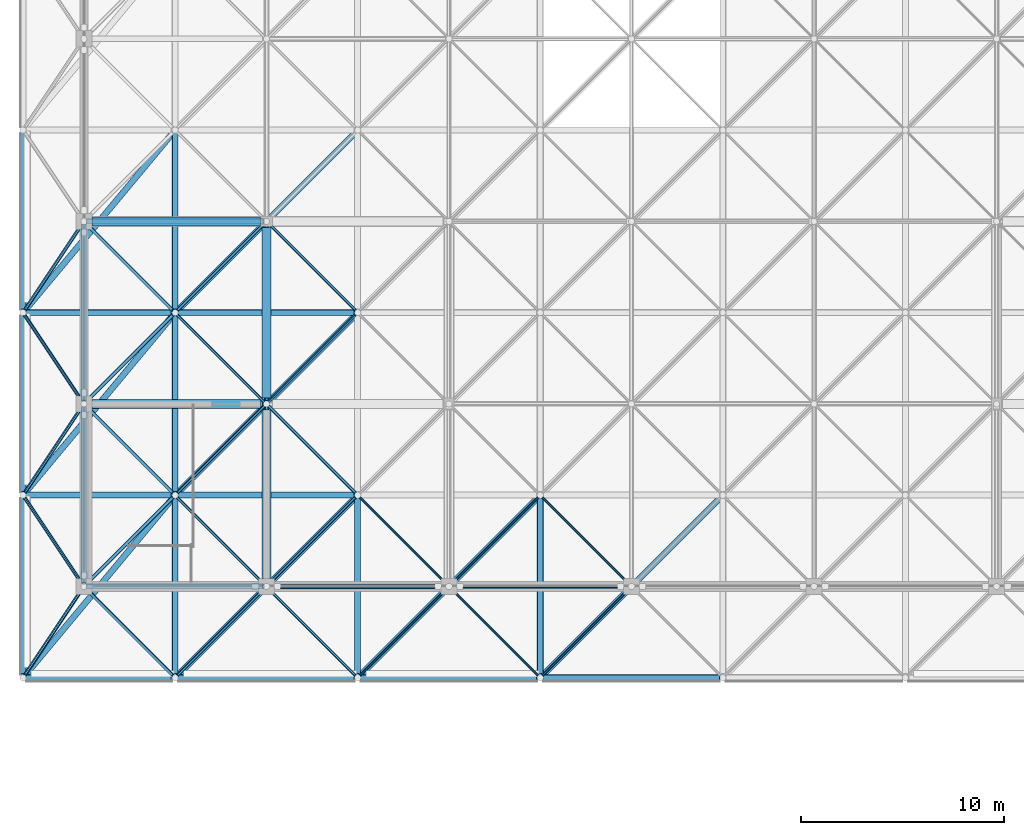
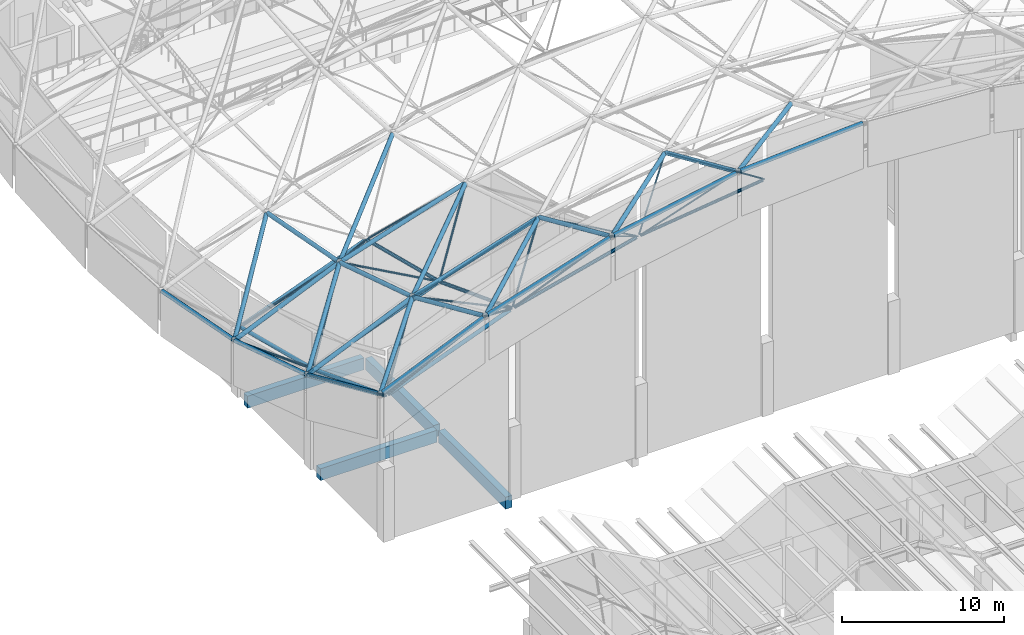
# One storey, part 70 of 437: 59 members, 4 beams.
"""IFC4 building model written with IfcOpenShell, lengths in metres."""

from ifc_helpers import new_model, si_unit, direction, frame, origin, origin_2d, place, context, subcontext, project, spatial, rectangle, hollow_circle, extrude, material, material_profile, profile_set, type_object, element, save


model = new_model("IFC4")

# Units and contexts
model_context = context("Model", 3, precision=1e-05, world=origin(), true_north=direction((0.0, 1.0)))
body_context = subcontext(model_context, "Body", "Model", "MODEL_VIEW")
ifc_project = project(units=[si_unit("LENGTHUNIT", "METRE"), si_unit("AREAUNIT", "SQUARE_METRE"), si_unit("VOLUMEUNIT", "CUBIC_METRE"), si_unit("PLANEANGLEUNIT", "RADIAN"), si_unit("MASSUNIT", "GRAM", prefix="KILO")], contexts=[model_context])

# Site, building, storey
site_placement = place(None, origin())
site = spatial("IfcSite", under=ifc_project, at=site_placement, CompositionType="ELEMENT")
building_placement = place(site_placement, origin())
building = spatial("IfcBuilding", under=site, at=building_placement, Name="Opaline Strait Convention Centre", CompositionType="ELEMENT")
storey_placement = place(building_placement, frame((0.0, 0.0, 11.5)))
storey = spatial("IfcBuildingStorey", under=building, at=storey_placement, Name="L02", CompositionType="ELEMENT", Elevation=11.5)

# Beams
ifc_material_1 = material(Name="Concrete C35", Category="concrete")
ifc_material_profile_1 = material_profile(ifc_material_1, rectangle(XDim=0.449951171875, YDim=0.89990234375, at=origin_2d()), Name="RC 450x900")
ifc_profile_set_1 = profile_set([ifc_material_profile_1], Name="Concrete C35")
beam_type = type_object("IfcBeamType", Name="RC floor beam 450x900 C35", PredefinedType="BEAM", material=ifc_profile_set_1)
for number, where, z_axis, x_axis, name in (
    (1, (9.39990234375, 126.0, -0.72998046875), (1.0, 0.0, 0.0), (0.0, 1.0, 0.0), "PFB1 L02 beam 2/Q-3/Q"),
    (2, (18.0, 117.39990234375, -0.72998046875), (0.0, 1.0, 0.0), (-1.0, 0.0, 0.0), "PFB1 L02 beam 3/P-3/Q"),
):
    element("IfcBeam", number, at=place(storey_placement, frame(where, z_axis=z_axis, x_axis=x_axis)), inside=storey, type_object=beam_type, Name=name, PredefinedType="BEAM", context=body_context, shape_type="SweptSolid", body=[
        extrude(rectangle(XDim=0.449951171875, YDim=0.89990234375, at=origin_2d()), origin(), (0.0, 0.0, 1.0), 8.300048828125),
    ])
beam_1_placement = place(storey_placement, frame((18.0, 126.300048828125, -0.72998046875), z_axis=(0.0, 1.0, 0.0), x_axis=(-1.0, 0.0, 0.0)))
element("IfcBeam", 3, at=beam_1_placement, inside=storey, type_object=beam_type, Name="PFB1 L02 beam 3/Q-3/R", PredefinedType="BEAM", context=body_context, shape_type="SweptSolid", body=[
    extrude(rectangle(XDim=0.449951171875, YDim=0.89990234375, at=origin_2d()), origin(), (0.0, 0.0, 1.0), 8.39990234375),
])
beam_2_placement = place(storey_placement, frame((9.39990234375, 135.0, -0.72998046875), z_axis=(1.0, 0.0, 0.0), x_axis=(0.0, 1.0, 0.0)))
element("IfcBeam", 4, at=beam_2_placement, inside=storey, type_object=beam_type, Name="PFB1 L02 beam 2/R-3/R", PredefinedType="BEAM", context=body_context, shape_type="SweptSolid", body=[
    extrude(rectangle(XDim=0.449951171875, YDim=0.89990234375, at=origin_2d()), origin(), (0.0, 0.0, 1.0), 8.300048828125),
])

# Members
ifc_material_2 = material(Name="Steel Q355B", Category="steel")
ifc_material_profile_2 = material_profile(ifc_material_2, hollow_circle(Radius=0.109619140625, WallThickness=0.008056640625, at=origin_2d()), Name="CHS 219x8")
ifc_profile_set_2 = profile_set([ifc_material_profile_2], Name="Steel Q355B")
member_type_1 = type_object("IfcMemberType", Name="Shell truss bottom chord CHS 219x8", PredefinedType="CHORD", material=ifc_profile_set_2)
member_1_placement = place(storey_placement, frame((27.14990234375, 117.0, 16.42822265625), z_axis=(0.992030967972, 0.0, 0.125994279971), x_axis=(0.0, 1.0, 0.0)))
element("IfcMember", 5, at=member_1_placement, inside=storey, type_object=member_type_1, Name="PBC3 bottom chord X3-1", PredefinedType="CHORD", context=body_context, shape_type="SweptSolid", body=[
    extrude(hollow_circle(Radius=0.109619140625, WallThickness=0.008056640625, at=origin_2d()), origin(), (0.0, 0.0, 1.0), 8.77001953125),
])
ifc_material_profile_3 = material_profile(ifc_material_2, hollow_circle(Radius=0.12255859375, WallThickness=0.011962890625, at=origin_2d()), Name="CHS 245x12")
ifc_profile_set_3 = profile_set([ifc_material_profile_3], Name="Steel Q355B")
member_type_2 = type_object("IfcMemberType", Name="Shell truss bottom chord CHS 245x12", PredefinedType="CHORD", material=ifc_profile_set_3)
member_2_placement = place(storey_placement, frame((18.14990234375, 117.0, 14.16162109375), z_axis=(0.969233447146, 0.0, 0.246143301624), x_axis=(0.0, 1.0, 0.0)))
element("IfcMember", 6, at=member_2_placement, inside=storey, type_object=member_type_2, Name="PBC2 bottom chord X2-1", PredefinedType="CHORD", context=body_context, shape_type="SweptSolid", body=[
    extrude(hollow_circle(Radius=0.12255859375, WallThickness=0.011962890625, at=origin_2d()), origin(), (0.0, 0.0, 1.0), 8.976318359375),
])
member_3_placement = place(storey_placement, frame((18.0, 117.14990234375, 14.06640625), z_axis=(0.0, 0.934493135261, -0.355981151397), x_axis=(-1.0, 0.0, 0.0)))
element("IfcMember", 7, at=member_3_placement, inside=storey, type_object=member_type_2, Name="PBC2 bottom chord Y2-1", PredefinedType="CHORD", context=body_context, shape_type="SweptSolid", body=[
    extrude(hollow_circle(Radius=0.12255859375, WallThickness=0.011962890625, at=origin_2d()), origin(), (0.0, 0.0, 1.0), 9.31005859375),
])
member_4_placement = place(storey_placement, frame((18.0, 126.14990234375, 10.656982421875), z_axis=(0.0, 0.969233447146, -0.246143301624), x_axis=(-1.0, 0.0, 0.0)))
element("IfcMember", 8, at=member_4_placement, inside=storey, type_object=member_type_2, Name="PBC2 bottom chord Y2-2", PredefinedType="CHORD", context=body_context, shape_type="SweptSolid", body=[
    extrude(hollow_circle(Radius=0.12255859375, WallThickness=0.011962890625, at=origin_2d()), origin(), (0.0, 0.0, 1.0), 8.976318359375),
])
ifc_material_profile_4 = material_profile(ifc_material_2, hollow_circle(Radius=0.136474609375, WallThickness=0.011962890625, at=origin_2d()), Name="CHS 273x12")
ifc_profile_set_4 = profile_set([ifc_material_profile_4], Name="Steel Q355B")
member_type_3 = type_object("IfcMemberType", Name="Shell truss bottom chord CHS 273x12", PredefinedType="CHORD", material=ifc_profile_set_4)
for number, where, z_axis, x_axis, name in (
    (9, (9.14990234375, 117.0, 10.752197265625), (0.934493135261, 0.0, 0.355981151397), (0.0, 1.0, 0.0), "PBC1 bottom chord X1-1"),
    (10, (9.14990234375, 126.0, 7.323486328125), (0.934484411572, 0.0, 0.356004051282), (0.0, 1.0, 0.0), "PBC1 bottom chord X1-2"),
    (11, (9.14990234375, 135.0, 5.037841796875), (0.934493135261, 0.0, 0.355981151397), (0.0, 1.0, 0.0), "PBC1 bottom chord X1-3"),
    (12, (9.0, 117.14990234375, 10.637939453125), (0.0, 0.934484411572, -0.356004051282), (-1.0, 0.0, 0.0), "PBC1 bottom chord Y1-1"),
):
    element("IfcMember", number, at=place(storey_placement, frame(where, z_axis=z_axis, x_axis=x_axis)), inside=storey, type_object=member_type_3, Name=name, PredefinedType="CHORD", context=body_context, shape_type="SweptSolid", body=[
        extrude(hollow_circle(Radius=0.136474609375, WallThickness=0.011962890625, at=origin_2d()), origin(), (0.0, 0.0, 1.0), 9.31005859375),
    ])
member_5_placement = place(storey_placement, frame((9.0, 126.14990234375, 7.228271484375), z_axis=(0.0, 0.969233447146, -0.246143301624), x_axis=(-1.0, 0.0, 0.0)))
element("IfcMember", 13, at=member_5_placement, inside=storey, type_object=member_type_3, Name="PBC1 bottom chord Y1-2", PredefinedType="CHORD", context=body_context, shape_type="SweptSolid", body=[
    extrude(hollow_circle(Radius=0.136474609375, WallThickness=0.011962890625, at=origin_2d()), origin(), (0.0, 0.0, 1.0), 8.976318359375),
])
ifc_material_profile_5 = material_profile(ifc_material_2, hollow_circle(Radius=0.1494140625, WallThickness=0.010009765625, at=origin_2d()), Name="CHS 299x10")
ifc_profile_set_5 = profile_set([ifc_material_profile_5], Name="Steel Q355B")
member_type_4 = type_object("IfcMemberType", Name="Shell truss top chord CHS 299x10", PredefinedType="CHORD", material=ifc_profile_set_5)
member_6_placement = place(storey_placement, frame((22.64990234375, 112.5, 20.730712890625), z_axis=(0.982337601302, 0.0, 0.187117174701), x_axis=(0.0, 1.0, 0.0)))
element("IfcMember", 14, at=member_6_placement, inside=storey, type_object=member_type_4, Name="PTC2 top chord X3-1", PredefinedType="CHORD", context=body_context, shape_type="SweptSolid", body=[
    extrude(hollow_circle(Radius=0.1494140625, WallThickness=0.010009765625, at=origin_2d()), origin(), (0.0, 0.0, 1.0), 8.856689453125),
])
member_7_placement = place(storey_placement, frame((31.64990234375, 112.5, 22.426025390625), z_axis=(0.997991520688, 0.0, 0.063347649001), x_axis=(0.0, 1.0, 0.0)))
element("IfcMember", 15, at=member_7_placement, inside=storey, type_object=member_type_4, Name="PTC2 top chord X4-1", PredefinedType="CHORD", context=body_context, shape_type="SweptSolid", body=[
    extrude(hollow_circle(Radius=0.1494140625, WallThickness=0.010009765625, at=origin_2d()), origin(), (0.0, 0.0, 1.0), 8.7177734375),
])
member_8_placement = place(storey_placement, frame((31.5, 112.64990234375, 22.349853515625), z_axis=(0.0, 0.913813663494, -0.406133707555), x_axis=(-1.0, 0.0, 0.0)))
element("IfcMember", 16, at=member_8_placement, inside=storey, type_object=member_type_4, Name="PTC2 top chord Y4-1", PredefinedType="CHORD", context=body_context, shape_type="SweptSolid", body=[
    extrude(hollow_circle(Radius=0.1494140625, WallThickness=0.010009765625, at=origin_2d()), origin(), (0.0, 0.0, 1.0), 9.520751953125),
])
member_9_placement = place(storey_placement, frame((22.606201171875, 112.606201171875, 20.67529296875), z_axis=(0.695971699433, 0.695971699433, -0.176767607829), x_axis=(-0.707106781187, 0.707106781187, 0.0)))
element("IfcMember", 17, at=member_9_placement, inside=storey, type_object=member_type_4, Name="PTC2 top chord D3-1", PredefinedType="CHORD", context=body_context, shape_type="SweptSolid", body=[
    extrude(hollow_circle(Radius=0.1494140625, WallThickness=0.010009765625, at=origin_2d()), origin(), (0.0, 0.0, 1.0), 12.62646484375),
])
member_10_placement = place(storey_placement, frame((31.606201171875, 112.606201171875, 22.3759765625), z_axis=(0.6827688932, 0.6827688932, -0.260102435505), x_axis=(-0.707106781187, 0.707106781187, 0.0)))
element("IfcMember", 18, at=member_10_placement, inside=storey, type_object=member_type_4, Name="PTC2 top chord D4-1", PredefinedType="CHORD", context=body_context, shape_type="SweptSolid", body=[
    extrude(hollow_circle(Radius=0.1494140625, WallThickness=0.010009765625, at=origin_2d()), origin(), (0.0, 0.0, 1.0), 12.87060546875),
])
ifc_material_profile_6 = material_profile(ifc_material_2, hollow_circle(Radius=0.1494140625, WallThickness=0.01611328125, at=origin_2d()), Name="CHS 299x16")
ifc_profile_set_6 = profile_set([ifc_material_profile_6], Name="Steel Q355B")
member_type_5 = type_object("IfcMemberType", Name="Shell truss top chord CHS 299x16", PredefinedType="CHORD", material=ifc_profile_set_6)
member_11_placement = place(storey_placement, frame((6.14990234375, 112.5, 14.656005859375), z_axis=(0.917383800951, 0.0, 0.398003720777), x_axis=(0.0, 1.0, 0.0)))
element("IfcMember", 19, at=member_11_placement, inside=storey, type_object=member_type_5, Name="PTC1 top chord X1-1", PredefinedType="CHORD", context=body_context, shape_type="SweptSolid", body=[
    extrude(hollow_circle(Radius=0.1494140625, WallThickness=0.01611328125, at=origin_2d()), origin(), (0.0, 0.0, 1.0), 7.8486328125),
])
member_12_placement = place(storey_placement, frame((13.64990234375, 112.5, 17.892578125), z_axis=(0.95312438958, 0.0, 0.302578746754), x_axis=(0.0, 1.0, 0.0)))
element("IfcMember", 20, at=member_12_placement, inside=storey, type_object=member_type_5, Name="PTC1 top chord X2-1", PredefinedType="CHORD", context=body_context, shape_type="SweptSolid", body=[
    extrude(hollow_circle(Radius=0.1494140625, WallThickness=0.01611328125, at=origin_2d()), origin(), (0.0, 0.0, 1.0), 9.128173828125),
])
member_13_placement = place(storey_placement, frame((6.14990234375, 121.5, 10.656005859375), z_axis=(0.917383800951, 0.0, 0.398003720777), x_axis=(0.0, 1.0, 0.0)))
element("IfcMember", 21, at=member_13_placement, inside=storey, type_object=member_type_5, Name="PTC1 top chord X1-2", PredefinedType="CHORD", context=body_context, shape_type="SweptSolid", body=[
    extrude(hollow_circle(Radius=0.1494140625, WallThickness=0.01611328125, at=origin_2d()), origin(), (0.0, 0.0, 1.0), 7.8486328125),
])
member_14_placement = place(storey_placement, frame((13.64990234375, 121.5, 13.892578125), z_axis=(0.95312438958, 0.0, 0.302578746754), x_axis=(0.0, 1.0, 0.0)))
element("IfcMember", 22, at=member_14_placement, inside=storey, type_object=member_type_5, Name="PTC1 top chord X2-2", PredefinedType="CHORD", context=body_context, shape_type="SweptSolid", body=[
    extrude(hollow_circle(Radius=0.1494140625, WallThickness=0.01611328125, at=origin_2d()), origin(), (0.0, 0.0, 1.0), 9.128173828125),
])
member_15_placement = place(storey_placement, frame((6.14990234375, 130.5, 7.799072265625), z_axis=(0.917383800951, 0.0, 0.398003720777), x_axis=(0.0, 1.0, 0.0)))
element("IfcMember", 23, at=member_15_placement, inside=storey, type_object=member_type_5, Name="PTC1 top chord X1-3", PredefinedType="CHORD", context=body_context, shape_type="SweptSolid", body=[
    extrude(hollow_circle(Radius=0.1494140625, WallThickness=0.01611328125, at=origin_2d()), origin(), (0.0, 0.0, 1.0), 7.8486328125),
])
member_16_placement = place(storey_placement, frame((13.64990234375, 130.5, 11.035400390625), z_axis=(0.95312438958, 0.0, 0.302578746754), x_axis=(0.0, 1.0, 0.0)))
element("IfcMember", 24, at=member_16_placement, inside=storey, type_object=member_type_5, Name="PTC1 top chord X2-3", PredefinedType="CHORD", context=body_context, shape_type="SweptSolid", body=[
    extrude(hollow_circle(Radius=0.1494140625, WallThickness=0.01611328125, at=origin_2d()), origin(), (0.0, 0.0, 1.0), 9.128173828125),
])
member_17_placement = place(storey_placement, frame((6.0, 112.64990234375, 14.5244140625), z_axis=(0.0, 0.913813663494, -0.406133707555), x_axis=(-1.0, 0.0, 0.0)))
element("IfcMember", 25, at=member_17_placement, inside=storey, type_object=member_type_5, Name="PTC1 top chord Y1-1", PredefinedType="CHORD", context=body_context, shape_type="SweptSolid", body=[
    extrude(hollow_circle(Radius=0.1494140625, WallThickness=0.01611328125, at=origin_2d()), origin(), (0.0, 0.0, 1.0), 9.520751953125),
])
member_18_placement = place(storey_placement, frame((6.0, 121.64990234375, 10.54345703125), z_axis=(0.0, 0.95312438958, -0.302578746754), x_axis=(-1.0, 0.0, 0.0)))
element("IfcMember", 26, at=member_18_placement, inside=storey, type_object=member_type_5, Name="PTC1 top chord Y1-2", PredefinedType="CHORD", context=body_context, shape_type="SweptSolid", body=[
    extrude(hollow_circle(Radius=0.1494140625, WallThickness=0.01611328125, at=origin_2d()), origin(), (0.0, 0.0, 1.0), 9.128173828125),
])
member_19_placement = place(storey_placement, frame((6.0, 130.64990234375, 7.705322265625), z_axis=(0.0, 0.982337601302, -0.187117174701), x_axis=(-1.0, 0.0, 0.0)))
element("IfcMember", 27, at=member_19_placement, inside=storey, type_object=member_type_5, Name="PTC1 top chord Y1-3", PredefinedType="CHORD", context=body_context, shape_type="SweptSolid", body=[
    extrude(hollow_circle(Radius=0.1494140625, WallThickness=0.01611328125, at=origin_2d()), origin(), (0.0, 0.0, 1.0), 8.856689453125),
])
member_20_placement = place(storey_placement, frame((13.5, 112.64990234375, 17.7783203125), z_axis=(0.0, 0.913813663494, -0.406133707555), x_axis=(-1.0, 0.0, 0.0)))
element("IfcMember", 28, at=member_20_placement, inside=storey, type_object=member_type_5, Name="PTC1 top chord Y2-1", PredefinedType="CHORD", context=body_context, shape_type="SweptSolid", body=[
    extrude(hollow_circle(Radius=0.1494140625, WallThickness=0.01611328125, at=origin_2d()), origin(), (0.0, 0.0, 1.0), 9.520751953125),
])
member_21_placement = place(storey_placement, frame((13.5, 121.64990234375, 13.79736328125), z_axis=(0.0, 0.95312438958, -0.302578746754), x_axis=(-1.0, 0.0, 0.0)))
element("IfcMember", 29, at=member_21_placement, inside=storey, type_object=member_type_5, Name="PTC1 top chord Y2-2", PredefinedType="CHORD", context=body_context, shape_type="SweptSolid", body=[
    extrude(hollow_circle(Radius=0.1494140625, WallThickness=0.01611328125, at=origin_2d()), origin(), (0.0, 0.0, 1.0), 9.128173828125),
])
member_22_placement = place(storey_placement, frame((13.5, 130.64990234375, 10.959228515625), z_axis=(0.0, 0.982337601302, -0.187117174701), x_axis=(-1.0, 0.0, 0.0)))
element("IfcMember", 30, at=member_22_placement, inside=storey, type_object=member_type_5, Name="PTC1 top chord Y2-3", PredefinedType="CHORD", context=body_context, shape_type="SweptSolid", body=[
    extrude(hollow_circle(Radius=0.1494140625, WallThickness=0.01611328125, at=origin_2d()), origin(), (0.0, 0.0, 1.0), 8.856689453125),
])
member_23_placement = place(storey_placement, frame((22.5, 112.64990234375, 20.635498046875), z_axis=(0.0, 0.913813663494, -0.406133707555), x_axis=(-1.0, 0.0, 0.0)))
element("IfcMember", 31, at=member_23_placement, inside=storey, type_object=member_type_5, Name="PTC1 top chord Y3-1", PredefinedType="CHORD", context=body_context, shape_type="SweptSolid", body=[
    extrude(hollow_circle(Radius=0.1494140625, WallThickness=0.01611328125, at=origin_2d()), origin(), (0.0, 0.0, 1.0), 9.520751953125),
])
member_24_placement = place(storey_placement, frame((6.095947265625, 112.615234375, 14.58154296875), z_axis=(0.638898309916, 0.766660897046, -0.063561140072), x_axis=(-0.768214267482, 0.640192814109, 0.0)))
element("IfcMember", 32, at=member_24_placement, inside=storey, type_object=member_type_5, Name="PTC1 top chord D1-1", PredefinedType="CHORD", context=body_context, shape_type="SweptSolid", body=[
    extrude(hollow_circle(Radius=0.1494140625, WallThickness=0.01611328125, at=origin_2d()), origin(), (0.0, 0.0, 1.0), 11.438720703125),
])
member_25_placement = place(storey_placement, frame((6.095947265625, 121.615234375, 10.59619140625), z_axis=(0.639825777297, 0.767773833116, 0.033857287073), x_axis=(-0.768214267482, 0.640192814109, 0.0)))
element("IfcMember", 33, at=member_25_placement, inside=storey, type_object=member_type_5, Name="PTC1 top chord D1-2", PredefinedType="CHORD", context=body_context, shape_type="SweptSolid", body=[
    extrude(hollow_circle(Radius=0.1494140625, WallThickness=0.01611328125, at=origin_2d()), origin(), (0.0, 0.0, 1.0), 11.422119140625),
])
member_26_placement = place(storey_placement, frame((6.095947265625, 130.615234375, 7.753662109375), z_axis=(0.63473479636, 0.761664792051, 0.130301507437), x_axis=(-0.768214267482, 0.640192814109, 0.0)))
element("IfcMember", 34, at=member_26_placement, inside=storey, type_object=member_type_5, Name="PTC1 top chord D1-3", PredefinedType="CHORD", context=body_context, shape_type="SweptSolid", body=[
    extrude(hollow_circle(Radius=0.1494140625, WallThickness=0.01611328125, at=origin_2d()), origin(), (0.0, 0.0, 1.0), 11.513671875),
])
member_27_placement = place(storey_placement, frame((13.606201171875, 112.606201171875, 17.83154296875), z_axis=(0.704272973434, 0.704272973434, -0.089438010823), x_axis=(-0.707106781187, 0.707106781187, 0.0)))
element("IfcMember", 35, at=member_27_placement, inside=storey, type_object=member_type_5, Name="PTC1 top chord D2-1", PredefinedType="CHORD", context=body_context, shape_type="SweptSolid", body=[
    extrude(hollow_circle(Radius=0.1494140625, WallThickness=0.01611328125, at=origin_2d()), origin(), (0.0, 0.0, 1.0), 12.4775390625),
])
member_28_placement = place(storey_placement, frame((13.606201171875, 121.606201171875, 13.844970703125), z_axis=(0.707106781187, 0.707106781187, 0.0), x_axis=(-0.707106781187, 0.707106781187, 0.0)))
element("IfcMember", 36, at=member_28_placement, inside=storey, type_object=member_type_5, Name="PTC1 top chord D2-2", PredefinedType="CHORD", context=body_context, shape_type="SweptSolid", body=[
    extrude(hollow_circle(Radius=0.1494140625, WallThickness=0.01611328125, at=origin_2d()), origin(), (0.0, 0.0, 1.0), 12.427490234375),
])
member_29_placement = place(storey_placement, frame((13.606201171875, 130.606201171875, 11.001220703125), z_axis=(0.704272973434, 0.704272973434, 0.089438010823), x_axis=(-0.707106781187, 0.707106781187, 0.0)))
element("IfcMember", 37, at=member_29_placement, inside=storey, type_object=member_type_5, Name="PTC1 top chord D2-3", PredefinedType="CHORD", context=body_context, shape_type="SweptSolid", body=[
    extrude(hollow_circle(Radius=0.1494140625, WallThickness=0.01611328125, at=origin_2d()), origin(), (0.0, 0.0, 1.0), 12.4775390625),
])
ifc_material_profile_7 = material_profile(ifc_material_2, hollow_circle(Radius=0.056884765625, WallThickness=0.006103515625, at=origin_2d()), Name="CHS 114x6")
ifc_profile_set_7 = profile_set([ifc_material_profile_7], Name="Steel Q355B")
member_type_6 = type_object("IfcMemberType", Name="Shell truss web CHS 114x6", PredefinedType="BRACE", material=ifc_profile_set_7)
member_30_placement = place(storey_placement, frame((26.893798828125, 116.893798828125, 16.510498046875), z_axis=(-0.58618937533, -0.58618937533, 0.559253102361), x_axis=(0.707106781187, -0.707106781187, 0.0)))
element("IfcMember", 38, at=member_30_placement, inside=storey, type_object=member_type_6, Name="PWB3 web 3-1ac", PredefinedType="BRACE", context=body_context, shape_type="SweptSolid", body=[
    extrude(hollow_circle(Radius=0.056884765625, WallThickness=0.006103515625, at=origin_2d()), origin(), (0.0, 0.0, 1.0), 7.314453125),
])
member_31_placement = place(storey_placement, frame((26.893798828125, 117.106201171875, 16.416259765625), z_axis=(-0.706359162176, 0.706359162176, 0.045972470241), x_axis=(-0.707106781187, -0.707106781187, 0.0)))
element("IfcMember", 39, at=member_31_placement, inside=storey, type_object=member_type_6, Name="PWB3 web 3-1ad", PredefinedType="BRACE", context=body_context, shape_type="SweptSolid", body=[
    extrude(hollow_circle(Radius=0.056884765625, WallThickness=0.006103515625, at=origin_2d()), origin(), (0.0, 0.0, 1.0), 6.070068359375),
])
member_32_placement = place(storey_placement, frame((27.106201171875, 116.893798828125, 16.55078125), z_axis=(0.514185644743, -0.514185644743, 0.686459208897), x_axis=(0.707106781187, 0.707106781187, 0.0)))
element("IfcMember", 40, at=member_32_placement, inside=storey, type_object=member_type_6, Name="PWB3 web 3-1bc", PredefinedType="BRACE", context=body_context, shape_type="SweptSolid", body=[
    extrude(hollow_circle(Radius=0.056884765625, WallThickness=0.006103515625, at=origin_2d()), origin(), (0.0, 0.0, 1.0), 8.338623046875),
])
member_33_placement = place(storey_placement, frame((27.106201171875, 117.106201171875, 16.45654296875), z_axis=(0.674355522785, 0.674355522785, 0.300814324422), x_axis=(-0.707106781187, 0.707106781187, 0.0)))
element("IfcMember", 41, at=member_33_placement, inside=storey, type_object=member_type_6, Name="PWB3 web 3-1bd", PredefinedType="BRACE", context=body_context, shape_type="SweptSolid", body=[
    extrude(hollow_circle(Radius=0.056884765625, WallThickness=0.006103515625, at=origin_2d()), origin(), (0.0, 0.0, 1.0), 6.358154296875),
])
member_34_placement = place(storey_placement, frame((35.893798828125, 116.893798828125, 17.666748046875), z_axis=(-0.561778263095, -0.561778263095, 0.607297592806), x_axis=(0.707106781187, -0.707106781187, 0.0)))
element("IfcMember", 42, at=member_34_placement, inside=storey, type_object=member_type_6, Name="PWB3 web 4-1ac", PredefinedType="BRACE", context=body_context, shape_type="SweptSolid", body=[
    extrude(hollow_circle(Radius=0.056884765625, WallThickness=0.006103515625, at=origin_2d()), origin(), (0.0, 0.0, 1.0), 7.632080078125),
])
member_35_placement = place(storey_placement, frame((35.893798828125, 117.106201171875, 17.572509765625), z_axis=(-0.700674687609, 0.700674687609, 0.134573267356), x_axis=(-0.707106781187, -0.707106781187, 0.0)))
element("IfcMember", 43, at=member_35_placement, inside=storey, type_object=member_type_6, Name="PWB3 web 4-1ad", PredefinedType="BRACE", context=body_context, shape_type="SweptSolid", body=[
    extrude(hollow_circle(Radius=0.056884765625, WallThickness=0.006103515625, at=origin_2d()), origin(), (0.0, 0.0, 1.0), 6.119140625),
])
ifc_material_profile_8 = material_profile(ifc_material_2, hollow_circle(Radius=0.070068359375, WallThickness=0.008056640625, at=origin_2d()), Name="CHS 140x8")
ifc_profile_set_8 = profile_set([ifc_material_profile_8], Name="Steel Q355B")
member_type_7 = type_object("IfcMemberType", Name="Shell truss web CHS 140x8", PredefinedType="BRACE", material=ifc_profile_set_8)
member_36_placement = place(storey_placement, frame((17.893798828125, 116.893798828125, 14.211181640625), z_axis=(-0.610386818671, -0.610386818671, 0.504832510033), x_axis=(0.707106781187, -0.707106781187, 0.0)))
element("IfcMember", 44, at=member_36_placement, inside=storey, type_object=member_type_7, Name="PWB2 web 2-1ac", PredefinedType="BRACE", context=body_context, shape_type="SweptSolid", body=[
    extrude(hollow_circle(Radius=0.070068359375, WallThickness=0.008056640625, at=origin_2d()), origin(), (0.0, 0.0, 1.0), 7.0244140625),
])
member_37_placement = place(storey_placement, frame((17.893798828125, 117.106201171875, 14.116943359375), z_axis=(-0.706430522614, 0.706430522614, -0.043724517599), x_axis=(-0.707106781187, -0.707106781187, 0.0)))
element("IfcMember", 45, at=member_37_placement, inside=storey, type_object=member_type_7, Name="PWB2 web 2-1ad", PredefinedType="BRACE", context=body_context, shape_type="SweptSolid", body=[
    extrude(hollow_circle(Radius=0.070068359375, WallThickness=0.008056640625, at=origin_2d()), origin(), (0.0, 0.0, 1.0), 6.0693359375),
])
member_38_placement = place(storey_placement, frame((18.1025390625, 116.8974609375, 14.273681640625), z_axis=(0.491659576152, -0.491659576152, 0.718708370869), x_axis=(0.707106781187, 0.707106781187, 0.0)))
element("IfcMember", 46, at=member_38_placement, inside=storey, type_object=member_type_7, Name="PWB2 web 2-1bc", PredefinedType="BRACE", context=body_context, shape_type="SweptSolid", body=[
    extrude(hollow_circle(Radius=0.070068359375, WallThickness=0.008056640625, at=origin_2d()), origin(), (0.0, 0.0, 1.0), 8.735595703125),
])
member_39_placement = place(storey_placement, frame((18.106201171875, 117.106201171875, 14.184326171875), z_axis=(0.655347879398, 0.655347879398, 0.375550680917), x_axis=(-0.707106781187, 0.707106781187, 0.0)))
element("IfcMember", 47, at=member_39_placement, inside=storey, type_object=member_type_7, Name="PWB2 web 2-1bd", PredefinedType="BRACE", context=body_context, shape_type="SweptSolid", body=[
    extrude(hollow_circle(Radius=0.070068359375, WallThickness=0.008056640625, at=origin_2d()), origin(), (0.0, 0.0, 1.0), 6.54248046875),
])
member_40_placement = place(storey_placement, frame((17.893798828125, 125.893798828125, 10.769287109375), z_axis=(-0.633718163842, -0.633718163842, 0.443624365464), x_axis=(0.707106781187, -0.707106781187, 0.0)))
element("IfcMember", 48, at=member_40_placement, inside=storey, type_object=member_type_7, Name="PWB2 web 2-2ac", PredefinedType="BRACE", context=body_context, shape_type="SweptSolid", body=[
    extrude(hollow_circle(Radius=0.070068359375, WallThickness=0.008056640625, at=origin_2d()), origin(), (0.0, 0.0, 1.0), 6.765869140625),
])
member_41_placement = place(storey_placement, frame((17.893798828125, 126.106201171875, 10.701904296875), z_axis=(-0.706359162176, 0.706359162176, 0.045972470241), x_axis=(-0.707106781187, -0.707106781187, 0.0)))
element("IfcMember", 49, at=member_41_placement, inside=storey, type_object=member_type_7, Name="PWB2 web 2-2ad", PredefinedType="BRACE", context=body_context, shape_type="SweptSolid", body=[
    extrude(hollow_circle(Radius=0.070068359375, WallThickness=0.008056640625, at=origin_2d()), origin(), (0.0, 0.0, 1.0), 6.070068359375),
])
member_42_placement = place(storey_placement, frame((18.106201171875, 125.893798828125, 10.836669921875), z_axis=(0.514195979125, -0.514195979125, 0.68644372683), x_axis=(0.707106781187, 0.707106781187, 0.0)))
element("IfcMember", 50, at=member_42_placement, inside=storey, type_object=member_type_7, Name="PWB2 web 2-2bc", PredefinedType="BRACE", context=body_context, shape_type="SweptSolid", body=[
    extrude(hollow_circle(Radius=0.070068359375, WallThickness=0.008056640625, at=origin_2d()), origin(), (0.0, 0.0, 1.0), 8.33837890625),
])
member_43_placement = place(storey_placement, frame((18.106201171875, 126.106201171875, 10.769287109375), z_axis=(0.633718163842, 0.633718163842, 0.443624365464), x_axis=(-0.707106781187, 0.707106781187, 0.0)))
element("IfcMember", 51, at=member_43_placement, inside=storey, type_object=member_type_7, Name="PWB2 web 2-2bd", PredefinedType="BRACE", context=body_context, shape_type="SweptSolid", body=[
    extrude(hollow_circle(Radius=0.070068359375, WallThickness=0.008056640625, at=origin_2d()), origin(), (0.0, 0.0, 1.0), 6.765869140625),
])
member_44_placement = place(storey_placement, frame((17.893798828125, 134.893798828125, 8.47021484375), z_axis=(-0.655357063272, -0.655357063272, 0.375518627019), x_axis=(0.707106781187, -0.707106781187, 0.0)))
element("IfcMember", 52, at=member_44_placement, inside=storey, type_object=member_type_7, Name="PWB2 web 2-3ac", PredefinedType="BRACE", context=body_context, shape_type="SweptSolid", body=[
    extrude(hollow_circle(Radius=0.070068359375, WallThickness=0.008056640625, at=origin_2d()), origin(), (0.0, 0.0, 1.0), 6.54248046875),
])
member_45_placement = place(storey_placement, frame((18.106201171875, 134.893798828125, 8.537353515625), z_axis=(0.537659406453, -0.537659406453, 0.649495746949), x_axis=(0.707106781187, 0.707106781187, 0.0)))
element("IfcMember", 53, at=member_45_placement, inside=storey, type_object=member_type_7, Name="PWB2 web 2-3bc", PredefinedType="BRACE", context=body_context, shape_type="SweptSolid", body=[
    extrude(hollow_circle(Radius=0.070068359375, WallThickness=0.008056640625, at=origin_2d()), origin(), (0.0, 0.0, 1.0), 7.974609375),
])
ifc_material_profile_9 = material_profile(ifc_material_2, hollow_circle(Radius=0.083984375, WallThickness=0.010009765625, at=origin_2d()), Name="CHS 168x10")
ifc_profile_set_9 = profile_set([ifc_material_profile_9], Name="Steel Q355B")
member_type_8 = type_object("IfcMemberType", Name="Shell truss web CHS 168x10", PredefinedType="BRACE", material=ifc_profile_set_9)
member_46_placement = place(storey_placement, frame((8.916748046875, 116.875244140625, 10.802978515625), z_axis=(-0.450060474119, -0.675129489438, 0.584504698122), x_axis=(0.832064999387, -0.554678138018, 0.0)))
element("IfcMember", 54, at=member_46_placement, inside=storey, type_object=member_type_8, Name="PWB1 web 1-1ac", PredefinedType="BRACE", context=body_context, shape_type="SweptSolid", body=[
    extrude(hollow_circle(Radius=0.083984375, WallThickness=0.010009765625, at=origin_2d()), origin(), (0.0, 0.0, 1.0), 6.2958984375),
])
member_47_placement = place(storey_placement, frame((8.916748046875, 117.124755859375, 10.692138671875), z_axis=(-0.5545757946, 0.831911475443, -0.019208984097), x_axis=(-0.832064999387, -0.554678138018, 0.0)))
element("IfcMember", 55, at=member_47_placement, inside=storey, type_object=member_type_8, Name="PWB1 web 1-1ad", PredefinedType="BRACE", context=body_context, shape_type="SweptSolid", body=[
    extrude(hollow_circle(Radius=0.083984375, WallThickness=0.010009765625, at=origin_2d()), origin(), (0.0, 0.0, 1.0), 5.109375),
])
member_48_placement = place(storey_placement, frame((9.094482421875, 116.905517578125, 10.844970703125), z_axis=(0.470109852598, -0.470109852598, 0.746989593623), x_axis=(0.707106781187, 0.707106781187, 0.0)))
element("IfcMember", 56, at=member_48_placement, inside=storey, type_object=member_type_8, Name="PWB1 web 1-1bc", PredefinedType="BRACE", context=body_context, shape_type="SweptSolid", body=[
    extrude(hollow_circle(Radius=0.083984375, WallThickness=0.010009765625, at=origin_2d()), origin(), (0.0, 0.0, 1.0), 9.170166015625),
])
member_49_placement = place(storey_placement, frame((9.106201171875, 117.106201171875, 10.769287109375), z_axis=(0.633718163842, 0.633718163842, 0.443624365464), x_axis=(-0.707106781187, 0.707106781187, 0.0)))
element("IfcMember", 57, at=member_49_placement, inside=storey, type_object=member_type_8, Name="PWB1 web 1-1bd", PredefinedType="BRACE", context=body_context, shape_type="SweptSolid", body=[
    extrude(hollow_circle(Radius=0.083984375, WallThickness=0.010009765625, at=origin_2d()), origin(), (0.0, 0.0, 1.0), 6.765869140625),
])
member_50_placement = place(storey_placement, frame((8.916748046875, 125.875244140625, 7.358642578125), z_axis=(-0.472539463346, -0.70884991012, 0.523677630325), x_axis=(0.832064999387, -0.554678138018, 0.0)))
element("IfcMember", 58, at=member_50_placement, inside=storey, type_object=member_type_8, Name="PWB1 web 1-2ac", PredefinedType="BRACE", context=body_context, shape_type="SweptSolid", body=[
    extrude(hollow_circle(Radius=0.083984375, WallThickness=0.010009765625, at=origin_2d()), origin(), (0.0, 0.0, 1.0), 5.996337890625),
])
member_51_placement = place(storey_placement, frame((8.916748046875, 126.124755859375, 7.279296875), z_axis=(-0.552616659628, 0.828972604181, 0.086135062663), x_axis=(-0.832064999387, -0.554678138018, 0.0)))
element("IfcMember", 59, at=member_51_placement, inside=storey, type_object=member_type_8, Name="PWB1 web 1-2ad", PredefinedType="BRACE", context=body_context, shape_type="SweptSolid", body=[
    extrude(hollow_circle(Radius=0.083984375, WallThickness=0.010009765625, at=origin_2d()), origin(), (0.0, 0.0, 1.0), 5.12744140625),
])
member_52_placement = place(storey_placement, frame((9.1025390625, 125.8974609375, 7.41650390625), z_axis=(0.491649700589, -0.491649700589, 0.718721882108), x_axis=(0.707106781187, 0.707106781187, 0.0)))
element("IfcMember", 60, at=member_52_placement, inside=storey, type_object=member_type_8, Name="PWB1 web 1-2bc", PredefinedType="BRACE", context=body_context, shape_type="SweptSolid", body=[
    extrude(hollow_circle(Radius=0.083984375, WallThickness=0.010009765625, at=origin_2d()), origin(), (0.0, 0.0, 1.0), 8.73583984375),
])
member_53_placement = place(storey_placement, frame((9.106201171875, 126.106201171875, 7.35400390625), z_axis=(0.610386818671, 0.610386818671, 0.504832510033), x_axis=(-0.707106781187, 0.707106781187, 0.0)))
element("IfcMember", 61, at=member_53_placement, inside=storey, type_object=member_type_8, Name="PWB1 web 1-2bd", PredefinedType="BRACE", context=body_context, shape_type="SweptSolid", body=[
    extrude(hollow_circle(Radius=0.083984375, WallThickness=0.010009765625, at=origin_2d()), origin(), (0.0, 0.0, 1.0), 7.0244140625),
])
member_54_placement = place(storey_placement, frame((8.916748046875, 134.875244140625, 5.05712890625), z_axis=(-0.494319584438, -0.741521968384, 0.453644485081), x_axis=(0.832064999387, -0.554678138018, 0.0)))
element("IfcMember", 62, at=member_54_placement, inside=storey, type_object=member_type_8, Name="PWB1 web 1-3ac", PredefinedType="BRACE", context=body_context, shape_type="SweptSolid", body=[
    extrude(hollow_circle(Radius=0.083984375, WallThickness=0.010009765625, at=origin_2d()), origin(), (0.0, 0.0, 1.0), 5.732177734375),
])
member_55_placement = place(storey_placement, frame((9.106201171875, 134.893798828125, 5.122314453125), z_axis=(0.514195979125, -0.514195979125, 0.68644372683), x_axis=(0.707106781187, 0.707106781187, 0.0)))
element("IfcMember", 63, at=member_55_placement, inside=storey, type_object=member_type_8, Name="PWB1 web 1-3bc", PredefinedType="BRACE", context=body_context, shape_type="SweptSolid", body=[
    extrude(hollow_circle(Radius=0.083984375, WallThickness=0.010009765625, at=origin_2d()), origin(), (0.0, 0.0, 1.0), 8.33837890625),
])

save(model, "model.ifc")
